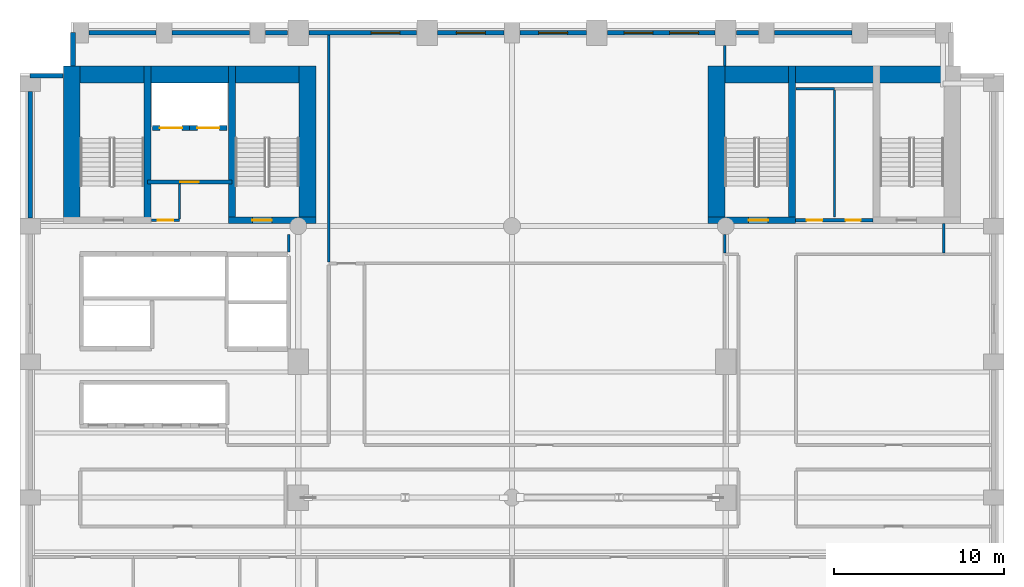
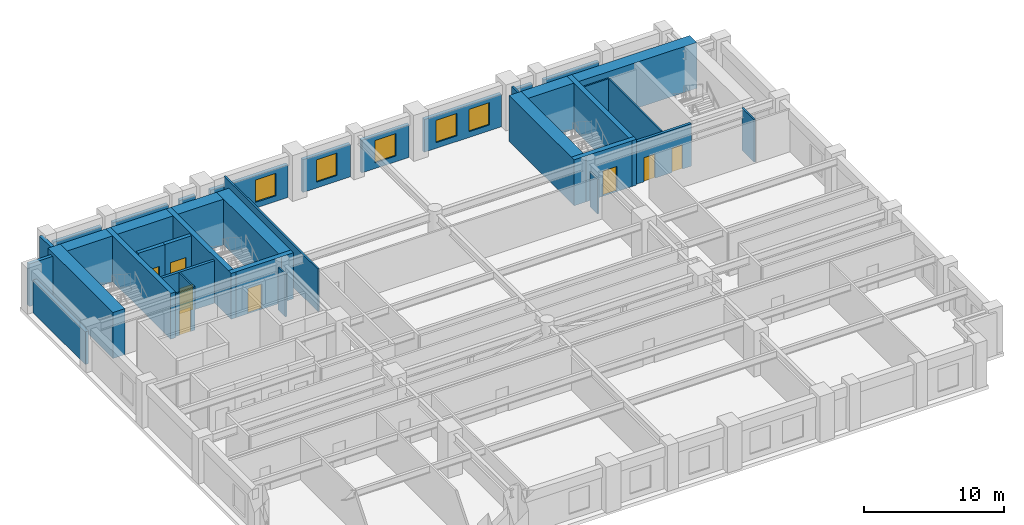
# One storey, part 7 of 10: 35 walls, 8 doors, 5 windows, 13 openings.
"""IFC4 building model written with IfcOpenShell, lengths in metres."""

import ifcopenshell
import ifcopenshell.guid

model = None  # the IFC model being written
_history = None  # IfcOwnerHistory: only IFC2X3 demands one
_inside = {}  # id of a spatial element -> (the spatial element, [elements in it])
_under = {}  # id of a project, library or spatial element -> (it, [spatial elements below it])
_declared = {}  # id of a project -> (the project, [libraries it declares])
_typed = {}  # id of a type object -> (the type object, [elements of that type])
_made_of = {}  # id of a material, layer set ... -> (it, [elements and type objects made of it])


def new_model(schema):
    """Start an empty IFC model of exactly this schema.

    Asked for "IFC4X3", IfcOpenShell would pick the latest addendum, in which some entities
    have other attributes; the version numbers below select the first issue.
    IFC2X3 requires an IfcOwnerHistory on every rooted entity: one is made here for all.
    """
    global model, _history
    if schema == "IFC4X3":
        model = ifcopenshell.file(schema_version=(4, 3, 0, 0))
    else:
        model = ifcopenshell.file(schema=schema)
    _inside.clear()
    _under.clear()
    _declared.clear()
    _typed.clear()
    _made_of.clear()
    _history = None
    if model.schema == "IFC2X3":
        org = make("IfcOrganization", Name="unknown")
        user = make(
            "IfcPersonAndOrganization",
            ThePerson=make("IfcPerson", FamilyName="unknown"),
            TheOrganization=org,
        )
        app = make(
            "IfcApplication",
            ApplicationDeveloper=org,
            Version="unknown",
            ApplicationFullName="unknown",
            ApplicationIdentifier="unknown",
        )
        _history = make(
            "IfcOwnerHistory",
            OwningUser=user,
            OwningApplication=app,
            ChangeAction="ADDED",
            CreationDate=0,
        )
    return model


def make(cls, **values):
    """One entity of the class cls with the attributes given. An attribute that is None is left unset."""
    return model.create_entity(
        cls, **{name: value for name, value in values.items() if value is not None}
    )


def rooted(cls, **values):
    """An entity with a GlobalId (a new one), such as an element, a storey or a relation."""
    return make(cls, GlobalId=ifcopenshell.guid.new(), OwnerHistory=_history, **values)


def si_unit(unit_type, name, prefix=None):
    """IfcSIUnit, for example si_unit("LENGTHUNIT", "METRE", prefix="MILLI")."""
    return make("IfcSIUnit", UnitType=unit_type, Prefix=prefix, Name=name)


def assignment(units):
    """IfcUnitAssignment: the units of a project."""
    return None if units is None else make("IfcUnitAssignment", Units=units)


def point(xyz):
    """IfcCartesianPoint."""
    return None if xyz is None else make("IfcCartesianPoint", Coordinates=xyz)


def direction(xyz):
    """IfcDirection."""
    return None if xyz is None else make("IfcDirection", DirectionRatios=xyz)


def frame(location, z_axis=None, x_axis=None):
    """IfcAxis2Placement3D, a coordinate frame: its origin and axes. An axis left out is left unset."""
    return make(
        "IfcAxis2Placement3D",
        Location=point(location),
        Axis=direction(z_axis),
        RefDirection=direction(x_axis),
    )


def frame_2d(location, x_axis=None):
    """IfcAxis2Placement2D, a coordinate frame in the plane: its origin and x axis."""
    return make(
        "IfcAxis2Placement2D", Location=point(location), RefDirection=direction(x_axis)
    )


def origin():
    """The frame at (0, 0, 0) with its axes left unset."""
    return frame((0.0, 0.0, 0.0))


def place(relative_to, where):
    """IfcLocalPlacement: puts the frame where relative to a parent placement (None: the world)."""
    return make(
        "IfcLocalPlacement", PlacementRelTo=relative_to, RelativePlacement=where
    )


def context(
    kind, dimensions, precision=None, world=None, true_north=None, identifier=None
):
    """IfcGeometricRepresentationContext, for example the 3D "Model" context."""
    return make(
        "IfcGeometricRepresentationContext",
        ContextIdentifier=identifier,
        ContextType=kind,
        CoordinateSpaceDimension=dimensions,
        Precision=precision,
        WorldCoordinateSystem=world,
        TrueNorth=true_north,
    )


def subcontext(parent, identifier, kind, view, scale=None):
    """IfcGeometricRepresentationSubContext, for example "Body" below "Model"."""
    return make(
        "IfcGeometricRepresentationSubContext",
        ContextIdentifier=identifier,
        ContextType=kind,
        ParentContext=parent,
        TargetScale=scale,
        TargetView=view,
    )


def project(units=None, contexts=None):
    """IfcProject with its units and contexts."""
    return rooted(
        "IfcProject",
        Name="project",
        RepresentationContexts=contexts,
        UnitsInContext=assignment(units),
    )


def spatial(cls, under=None, at=None, **own):
    """A site, building, storey or space (cls), placed at a placement, below another one or the project."""
    s = rooted(cls, ObjectPlacement=at, **own)
    if under is not None:
        _under.setdefault(under.id(), (under, []))[1].append(s)
    return s


def profile(cls, at=None, kind="AREA", **sizes):
    """A parametric profile (cls). Its sizes go by their IFC names, for example OverallWidth=200.0."""
    return make(cls, ProfileType=kind, Position=at, **sizes)


def rectangle(**sizes):
    """IfcRectangleProfileDef."""
    return profile("IfcRectangleProfileDef", **sizes)


def extrude(swept, where, along, depth):
    """IfcExtrudedAreaSolid: the profile swept, set in the frame where, extruded along a direction by depth."""
    return make(
        "IfcExtrudedAreaSolid",
        SweptArea=swept,
        Position=where,
        ExtrudedDirection=direction(along),
        Depth=depth,
    )


def shape(context_of_items, identifier, shape_type, items):
    """IfcShapeRepresentation: the items that make up one representation, for example the "Body"."""
    return make(
        "IfcShapeRepresentation",
        ContextOfItems=context_of_items,
        RepresentationIdentifier=identifier,
        RepresentationType=shape_type,
        Items=items,
    )


def material(Name=None, Category=None):
    """IfcMaterial."""
    return make("IfcMaterial", Name=Name, Category=Category)


def layer(
    of_material, thickness, ventilated=None, Name=None, Category=None, Priority=None
):
    """IfcMaterialLayer: one layer of a wall or slab, of a material (None: an air gap)."""
    return make(
        "IfcMaterialLayer",
        Material=of_material,
        LayerThickness=thickness,
        IsVentilated=ventilated,
        Name=Name,
        Category=Category,
        Priority=Priority,
    )


def layer_set(layers, Name=None):
    """IfcMaterialLayerSet."""
    return make("IfcMaterialLayerSet", MaterialLayers=layers, LayerSetName=Name)


def made_of(thing, what):
    """Note that an element or type object is made of a material, layer set ...; save() writes the relation."""
    if what is not None:
        _made_of.setdefault(what.id(), (what, []))[1].append(thing)
    return thing


def type_object(cls, material=None, **own):
    """A type object (cls), such as IfcWallType, which elements share."""
    return made_of(rooted(cls, **own), material)


def element(
    cls,
    number,
    at=None,
    inside=None,
    cuts=None,
    type_object=None,
    material=None,
    context=None,
    identifier="Body",
    shape_type=None,
    held_by="IfcProductDefinitionShape",
    body=None,
    shapes=None,
    **own,
):
    """One element of the class cls, such as IfcWall. Its Tag is "e" and its number.

    at: its placement. inside: the storey or other place that contains it. cuts: it is an
    opening in that element (IfcRelVoidsElement). A single representation is given by context,
    identifier, shape_type and body (its items); several are given by shapes. held_by: the class
    of the entity that holds the representations. save() writes the other relations.
    """
    e = rooted(cls, Tag="e%d" % number, ObjectPlacement=at, **own)
    if body is not None:
        shapes = [shape(context, identifier, shape_type, body)]
    if shapes is not None:
        e.Representation = make(held_by, Representations=shapes)
    if inside is not None:
        _inside.setdefault(inside.id(), (inside, []))[1].append(e)
    if cuts is not None:
        rooted(
            "IfcRelVoidsElement", RelatingBuildingElement=cuts, RelatedOpeningElement=e
        )
    if type_object is not None:
        _typed.setdefault(type_object.id(), (type_object, []))[1].append(e)
    return made_of(e, material)


def fill(opening, filler):
    """IfcRelFillsElement: the door or window that sits in an opening."""
    return rooted(
        "IfcRelFillsElement",
        RelatingOpeningElement=opening,
        RelatedBuildingElement=filler,
    )


def aggregate(whole, parts):
    """IfcRelAggregates: a whole, such as a stair, and the parts it consists of."""
    return rooted("IfcRelAggregates", RelatingObject=whole, RelatedObjects=parts)


def save(model, path):
    """Write the relations noted so far, then the file.

    IfcRelAggregates (storeys below a building ...), IfcRelContainedInSpatialStructure (elements
    in a storey), IfcRelDefinesByType, IfcRelAssociatesMaterial and IfcRelDeclares: one each for
    every whole, place, type object, material and project.
    """
    for whole, parts in _under.values():
        aggregate(whole, parts)
    for where, things in _inside.values():
        rooted(
            "IfcRelContainedInSpatialStructure",
            RelatedElements=things,
            RelatingStructure=where,
        )
    for kind, things in _typed.values():
        rooted("IfcRelDefinesByType", RelatedObjects=things, RelatingType=kind)
    for what, things in _made_of.values():
        rooted("IfcRelAssociatesMaterial", RelatedObjects=things, RelatingMaterial=what)
    for by, libraries in _declared.values():
        rooted("IfcRelDeclares", RelatingContext=by, RelatedDefinitions=libraries)
    model.write(path)


model = new_model("IFC4")

# Units and contexts
model_context = context("Model", 3, precision=1e-05, world=origin(), true_north=direction((0.0, 1.0)))
body_context = subcontext(model_context, "Body", "Model", "MODEL_VIEW")
ifc_project = project(units=[si_unit("LENGTHUNIT", "METRE"), si_unit("AREAUNIT", "SQUARE_METRE"), si_unit("VOLUMEUNIT", "CUBIC_METRE"), si_unit("PLANEANGLEUNIT", "RADIAN"), si_unit("MASSUNIT", "GRAM", prefix="KILO")], contexts=[model_context])

# Site, building, storey
site_placement = place(None, origin())
site = spatial("IfcSite", under=ifc_project, at=site_placement, CompositionType="ELEMENT")
building_placement = place(site_placement, origin())
building = spatial("IfcBuilding", under=site, at=building_placement, Name="Sulina Concourse Tower", CompositionType="ELEMENT")
storey_placement = place(building_placement, frame((0.0, 0.0, 54.60009765625)))
storey = spatial("IfcBuildingStorey", under=building, at=storey_placement, Name="L13", CompositionType="ELEMENT", Elevation=54.60009765625)

# Wall, opening, door
ifc_material_1 = material(Name="Concrete C50/60", Category="concrete")
ifc_layer_1 = layer(ifc_material_1, 0.300048828125)
ifc_layer_set_1 = layer_set([ifc_layer_1], Name="Concrete C50/60")
wall_type_1 = type_object("IfcWallType", Name="Core Lift Hoistway Wall 300mm", PredefinedType="SOLIDWALL", material=ifc_layer_set_1)
wall_1_placement = place(storey_placement, frame((10.0, 39.780029296875, 0.0), z_axis=(0.0, 0.0, 1.0), x_axis=(-1.0, 0.0, 0.0)))
wall_1 = element("IfcWall", 1, at=wall_1_placement, inside=storey, type_object=wall_type_1, Name="L13 hoistway enclosure wall FFL-1", PredefinedType="SOLIDWALL", context=body_context, shape_type="SweptSolid", body=[
    extrude(rectangle(XDim=2.199951171875, YDim=0.300048828125, at=frame_2d((1.10009765625, 0.0))), origin(), (0.0, 0.0, 1.0), 4.0),
])
opening_1_placement = place(wall_1_placement, frame((0.449951171875, 0.0, 0.0)))
opening_1 = element("IfcOpeningElement", 2, at=opening_1_placement, cuts=wall_1, Name="Opening LD-02", PredefinedType="OPENING", context=body_context, shape_type="SweptSolid", body=[
    extrude(rectangle(XDim=1.300048828125, YDim=2.25, at=frame_2d((0.64990234375, 1.125))), frame((0.0, 0.159912109375, 0.0), z_axis=(0.0, -1.0, 0.0), x_axis=(1.0, 0.0, 0.0)), (0.0, 0.0, 1.0), 0.320068359375),
])
ifc_material_2 = material(Name="Stainless steel lift landing door", Category="steel")
ifc_layer_2 = layer(ifc_material_2, 0.050048828125)
ifc_layer_set_2 = layer_set([ifc_layer_2], Name="Stainless steel lift landing door")
door_type_1 = type_object("IfcDoorType", Name="Firefighting Lift Sliding Landing Door 1300x2250", OperationType="SLIDING_TO_RIGHT", PredefinedType="DOOR", material=ifc_layer_set_2)
door_1_placement = place(opening_1_placement, origin())
door_1 = element("IfcDoor", 3, at=door_1_placement, inside=storey, type_object=door_type_1, Name="L13 lift landing sliding door FFL-1", OperationType="SLIDING_TO_LEFT", OverallHeight=2.25, OverallWidth=1.300048828125, PredefinedType="DOOR", context=body_context, shape_type="SweptSolid", body=[
    extrude(rectangle(XDim=1.300048828125, YDim=2.25, at=frame_2d((0.64990234375, 1.125))), frame((0.0, 0.02490234375, 0.0), z_axis=(0.0, -1.0, 0.0), x_axis=(1.0, 0.0, 0.0)), (0.0, 0.0, 1.0), 0.050048828125),
])
fill(opening_1, door_1)

wall_2_placement = place(storey_placement, frame((12.199951171875, 39.780029296875, 0.0), z_axis=(0.0, 0.0, 1.0), x_axis=(-1.0, 0.0, 0.0)))
wall_2 = element("IfcWall", 4, at=wall_2_placement, inside=storey, type_object=wall_type_1, Name="L13 hoistway enclosure wall FFL-2", PredefinedType="SOLIDWALL", context=body_context, shape_type="SweptSolid", body=[
    extrude(rectangle(XDim=2.199951171875, YDim=0.300048828125, at=frame_2d((1.10009765625, 0.0))), origin(), (0.0, 0.0, 1.0), 4.0),
])
opening_2_placement = place(wall_2_placement, frame((0.449951171875, 0.0, 0.0)))
opening_2 = element("IfcOpeningElement", 5, at=opening_2_placement, cuts=wall_2, Name="Opening LD-02", PredefinedType="OPENING", context=body_context, shape_type="SweptSolid", body=[
    extrude(rectangle(XDim=1.300048828125, YDim=2.25, at=frame_2d((0.64990234375, 1.125))), frame((0.0, 0.159912109375, 0.0), z_axis=(0.0, -1.0, 0.0), x_axis=(1.0, 0.0, 0.0)), (0.0, 0.0, 1.0), 0.320068359375),
])
door_2_placement = place(opening_2_placement, origin())
door_2 = element("IfcDoor", 6, at=door_2_placement, inside=storey, type_object=door_type_1, Name="L13 lift landing sliding door FFL-2", OperationType="SLIDING_TO_RIGHT", OverallHeight=2.25, OverallWidth=1.300048828125, PredefinedType="DOOR", context=body_context, shape_type="SweptSolid", body=[
    extrude(rectangle(XDim=1.300048828125, YDim=2.25, at=frame_2d((0.64990234375, 1.125))), frame((0.0, 0.02490234375, 0.0), z_axis=(0.0, -1.0, 0.0), x_axis=(1.0, 0.0, 0.0)), (0.0, 0.0, 1.0), 0.050048828125),
])
fill(opening_2, door_2)

ifc_material_3 = material(Name="Gypsum board on steel stud", Category="steel")
ifc_layer_3 = layer(ifc_material_3, 0.219970703125)
ifc_layer_set_3 = layer_set([ifc_layer_3], Name="Gypsum board on steel stud")
wall_type_2 = type_object("IfcWallType", Name="Fire-Rated Lobby & Compartment Wall 220mm", PredefinedType="PARTITIONING", material=ifc_layer_set_3)
wall_3_placement = place(storey_placement, frame((7.510009765625, 36.60009765625, 0.0), z_axis=(0.0, 0.0, 1.0), x_axis=(1.0, 0.0, 0.0)))
wall_3 = element("IfcWall", 7, at=wall_3_placement, inside=storey, type_object=wall_type_2, Name="L13 firefighting lobby south fire wall", PredefinedType="PARTITIONING", context=body_context, shape_type="SweptSolid", body=[
    extrude(rectangle(XDim=4.97998046875, YDim=0.219970703125, at=frame_2d((2.489990234375, 0.0))), origin(), (0.0, 0.0, 1.0), 3.699951171875),
])
opening_3_placement = place(wall_3_placement, frame((1.93994140625, 0.0, 0.0)))
opening_3 = element("IfcOpeningElement", 8, at=opening_3_placement, cuts=wall_3, Name="Opening DR-47", PredefinedType="OPENING", context=body_context, shape_type="SweptSolid", body=[
    extrude(rectangle(XDim=1.10009765625, YDim=2.199951171875, at=frame_2d((0.550048828125, 1.10009765625))), frame((0.0, 0.119873046875, 0.0), z_axis=(0.0, -1.0, 0.0), x_axis=(1.0, 0.0, 0.0)), (0.0, 0.0, 1.0), 0.239990234375),
])
ifc_material_4 = material(Name="Galvanised steel acoustic fire leaf", Category="steel")
ifc_layer_4 = layer(ifc_material_4, 0.054931640625)
ifc_layer_set_4 = layer_set([ifc_layer_4], Name="Galvanised steel acoustic fire leaf")
door_type_2 = type_object("IfcDoorType", Name="Firefighting Lobby Fire Door 1100x2200", OperationType="NOTDEFINED", PredefinedType="DOOR", material=ifc_layer_set_4)
door_3_placement = place(opening_3_placement, origin())
door_3 = element("IfcDoor", 9, at=door_3_placement, inside=storey, type_object=door_type_2, Name="L13 firefighting lobby fire door", OperationType="SINGLE_SWING_RIGHT", OverallHeight=2.199951171875, OverallWidth=1.10009765625, PredefinedType="DOOR", context=body_context, shape_type="SweptSolid", body=[
    extrude(rectangle(XDim=1.10009765625, YDim=2.199951171875, at=frame_2d((0.550048828125, 1.10009765625))), frame((0.0, 0.02490234375, 0.0), z_axis=(0.0, -1.0, 0.0), x_axis=(1.0, 0.0, 0.0)), (0.0, 0.0, 1.0), 0.050048828125),
])
fill(opening_3, door_3)

# Wall, openings, doors
wall_4_placement = place(storey_placement, frame((45.719970703125, 34.35009765625, 0.0), z_axis=(0.0, 0.0, 1.0), x_axis=(1.0, 0.0, 0.0)))
wall_4 = element("IfcWall", 10, at=wall_4_placement, inside=storey, type_object=wall_type_2, Name="L13 east core south lobby wall", PredefinedType="PARTITIONING", context=body_context, shape_type="SweptSolid", body=[
    extrude(rectangle(XDim=4.56005859375, YDim=0.219970703125, at=frame_2d((2.280029296875, 0.0))), origin(), (0.0, 0.0, 1.0), 3.699951171875),
])
opening_4_placement = place(wall_4_placement, frame((0.64990234375, 0.0, 0.0)))
opening_4 = element("IfcOpeningElement", 11, at=opening_4_placement, cuts=wall_4, Name="Opening DR-61", PredefinedType="OPENING", context=body_context, shape_type="SweptSolid", body=[
    extrude(rectangle(XDim=0.919921875, YDim=2.10009765625, at=frame_2d((0.4599609375, 1.050048828125))), frame((0.0, 0.119873046875, 0.0), z_axis=(0.0, -1.0, 0.0), x_axis=(1.0, 0.0, 0.0)), (0.0, 0.0, 1.0), 0.239990234375),
])
opening_5_placement = place(wall_4_placement, frame((2.949951171875, 0.0, 0.0)))
opening_5 = element("IfcOpeningElement", 12, at=opening_5_placement, cuts=wall_4, Name="Opening DR-38", PredefinedType="OPENING", context=body_context, shape_type="SweptSolid", body=[
    extrude(rectangle(XDim=0.8798828125, YDim=2.10009765625, at=frame_2d((0.43994140625, 1.050048828125))), frame((0.0, 0.119873046875, 0.0), z_axis=(0.0, -1.0, 0.0), x_axis=(1.0, 0.0, 0.0)), (0.0, 0.0, 1.0), 0.239990234375),
])
ifc_material_5 = material(Name="Oak-veneered fire door leaf")
ifc_layer_5 = layer(ifc_material_5, 0.050048828125)
ifc_layer_set_5 = layer_set([ifc_layer_5], Name="Oak-veneered fire door leaf")
door_type_3 = type_object("IfcDoorType", Name="Accessible WC Door 920x2100", OperationType="NOTDEFINED", PredefinedType="DOOR", material=ifc_layer_set_5)
door_4_placement = place(opening_4_placement, origin())
door_4 = element("IfcDoor", 13, at=door_4_placement, inside=storey, type_object=door_type_3, Name="L13 east core accessible wc door", OperationType="SINGLE_SWING_RIGHT", OverallHeight=2.10009765625, OverallWidth=0.919921875, PredefinedType="DOOR", context=body_context, shape_type="SweptSolid", body=[
    extrude(rectangle(XDim=0.919921875, YDim=2.10009765625, at=frame_2d((0.4599609375, 1.050048828125))), frame((0.0, 0.02490234375, 0.0), z_axis=(0.0, -1.0, 0.0), x_axis=(1.0, 0.0, 0.0)), (0.0, 0.0, 1.0), 0.050048828125),
])
fill(opening_4, door_4)
ifc_material_6 = material(Name="Galvanised steel acoustic fire leaf", Category="steel")
ifc_layer_6 = layer(ifc_material_6, 0.050048828125)
ifc_layer_set_6 = layer_set([ifc_layer_6], Name="Galvanised steel acoustic fire leaf")
door_type_4 = type_object("IfcDoorType", Name="Service Riser Fire Door 880x2100", OperationType="NOTDEFINED", PredefinedType="DOOR", material=ifc_layer_set_6)
door_5_placement = place(opening_5_placement, origin())
door_5 = element("IfcDoor", 14, at=door_5_placement, inside=storey, type_object=door_type_4, Name="L13 east core store door", OperationType="SINGLE_SWING_LEFT", OverallHeight=2.10009765625, OverallWidth=0.8798828125, PredefinedType="DOOR", context=body_context, shape_type="SweptSolid", body=[
    extrude(rectangle(XDim=0.8798828125, YDim=2.10009765625, at=frame_2d((0.43994140625, 1.050048828125))), frame((0.0, 0.02490234375, 0.0), z_axis=(0.0, -1.0, 0.0), x_axis=(1.0, 0.0, 0.0)), (0.0, 0.0, 1.0), 0.050048828125),
])
fill(opening_5, door_5)

# Walls
ifc_material_7 = material(Name="Gypsum board on steel stud", Category="steel")
ifc_layer_7 = layer(ifc_material_7, 0.14990234375)
ifc_layer_set_7 = layer_set([ifc_layer_7], Name="Gypsum board on steel stud")
wall_type_3 = type_object("IfcWallType", Name="Inter-Tenancy Acoustic Partition 150mm", PredefinedType="PARTITIONING", material=ifc_layer_set_7)
wall_5_placement = place(storey_placement, frame((15.85009765625, 32.469970703125, 0.0), z_axis=(0.0, 0.0, 1.0), x_axis=(0.0, 1.0, 0.0)))
element("IfcWall", 15, at=wall_5_placement, inside=storey, type_object=wall_type_3, Name="L13 interior partition 033", PredefinedType="PARTITIONING", context=body_context, shape_type="SweptSolid", body=[
    extrude(rectangle(XDim=1.030029296875, YDim=0.14990234375, at=frame_2d((0.51513671875, 0.0))), origin(), (0.0, 0.0, 1.0), 3.699951171875),
])
wall_6_placement = place(storey_placement, frame((18.199951171875, 31.889892578125, 0.0), z_axis=(0.0, 0.0, 1.0), x_axis=(0.0, 1.0, 0.0)))
element("IfcWall", 16, at=wall_6_placement, inside=storey, type_object=wall_type_3, Name="L13 interior partition 036", PredefinedType="PARTITIONING", context=body_context, shape_type="SweptSolid", body=[
    extrude(rectangle(XDim=13.3701171875, YDim=0.14990234375, at=frame_2d((6.68505859375, 0.0))), origin(), (0.0, 0.0, 1.0), 3.699951171875),
])
wall_7_placement = place(storey_placement, frame((41.550048828125, 32.425048828125, 0.0), z_axis=(0.0, 0.0, 1.0), x_axis=(0.0, 1.0, 0.0)))
element("IfcWall", 17, at=wall_7_placement, inside=storey, type_object=wall_type_3, Name="L13 interior partition 041", PredefinedType="PARTITIONING", context=body_context, shape_type="SweptSolid", body=[
    extrude(rectangle(XDim=1.074951171875, YDim=0.14990234375, at=frame_2d((0.53759765625, 0.0))), origin(), (0.0, 0.0, 1.0), 2.994873046875),
])
wall_8_placement = place(storey_placement, frame((41.550048828125, 43.429931640625, 0.0), z_axis=(0.0, 0.0, 1.0), x_axis=(0.0, 1.0, 0.0)))
element("IfcWall", 18, at=wall_8_placement, inside=storey, type_object=wall_type_3, Name="L13 interior partition 042", PredefinedType="PARTITIONING", context=body_context, shape_type="SweptSolid", body=[
    extrude(rectangle(XDim=1.219970703125, YDim=0.14990234375, at=frame_2d((0.60986328125, 0.0))), origin(), (0.0, 0.0, 1.0), 3.699951171875),
])
wall_9_placement = place(storey_placement, frame((54.449951171875, 32.425048828125, 0.0), z_axis=(0.0, 0.0, 1.0), x_axis=(0.0, 1.0, 0.0)))
element("IfcWall", 19, at=wall_9_placement, inside=storey, type_object=wall_type_3, Name="L13 interior partition 051", PredefinedType="PARTITIONING", context=body_context, shape_type="SweptSolid", body=[
    extrude(rectangle(XDim=1.724853515625, YDim=0.14990234375, at=frame_2d((0.8623046875, 0.0))), origin(), (0.0, 0.0, 1.0), 3.699951171875),
])

# Wall, opening, door
ifc_material_8 = material(Name="Concrete C60/75", Category="concrete")
ifc_layer_8 = layer(ifc_material_8, 0.39990234375)
ifc_layer_set_8 = layer_set([ifc_layer_8], Name="Concrete C60/75")
wall_type_4 = type_object("IfcWallType", Name="Protected Stair Core Shear Wall 400mm", PredefinedType="SHEAR", material=ifc_layer_set_8)
wall_10_placement = place(storey_placement, frame((12.2900390625, 34.35009765625, 0.0), z_axis=(0.0, 0.0, 1.0), x_axis=(1.0, 0.0, 0.0)))
wall_10 = element("IfcWall", 20, at=wall_10_placement, inside=storey, type_object=wall_type_4, Name="L13 west core shear wall CW-WS2", PredefinedType="SHEAR", context=body_context, shape_type="SweptSolid", body=[
    extrude(rectangle(XDim=5.159912109375, YDim=0.39990234375, at=frame_2d((2.580078125, 0.0))), origin(), (0.0, 0.0, 1.0), 4.0),
])
opening_6_placement = place(wall_10_placement, frame((1.39990234375, 0.0, 0.0)))
opening_6 = element("IfcOpeningElement", 21, at=opening_6_placement, cuts=wall_10, Name="Opening DR-60", PredefinedType="OPENING", context=body_context, shape_type="SweptSolid", body=[
    extrude(rectangle(XDim=1.14990234375, YDim=2.199951171875, at=frame_2d((0.574951171875, 1.10009765625))), frame((0.0, 0.2099609375, 0.0), z_axis=(0.0, -1.0, 0.0), x_axis=(1.0, 0.0, 0.0)), (0.0, 0.0, 1.0), 0.419921875),
])
ifc_material_9 = material(Name="Galvanised steel acoustic fire leaf", Category="steel")
ifc_layer_9 = layer(ifc_material_9, 0.054931640625)
ifc_layer_set_9 = layer_set([ifc_layer_9], Name="Galvanised steel acoustic fire leaf")
door_type_5 = type_object("IfcDoorType", Name="Protected Exit Stair Fire Door 1150x2200", OperationType="NOTDEFINED", PredefinedType="DOOR", material=ifc_layer_set_9)
door_6_placement = place(opening_6_placement, origin())
door_6 = element("IfcDoor", 22, at=door_6_placement, inside=storey, type_object=door_type_5, Name="L13 stair ST-2 lobby fire door", OperationType="SINGLE_SWING_LEFT", OverallHeight=2.199951171875, OverallWidth=1.14990234375, PredefinedType="DOOR", context=body_context, shape_type="SweptSolid", body=[
    extrude(rectangle(XDim=1.14990234375, YDim=2.199951171875, at=frame_2d((0.574951171875, 1.10009765625))), frame((0.0, 0.02490234375, 0.0), z_axis=(0.0, -1.0, 0.0), x_axis=(1.0, 0.0, 0.0)), (0.0, 0.0, 1.0), 0.050048828125),
])
fill(opening_6, door_6)

# Walls
for number, where, z_axis, x_axis, name in (
    (23, (7.510009765625, 34.14990234375, 0.0), (0.0, 0.0, 1.0), (0.0, 1.0, 0.0), "L13 west core shear wall SW-ST1"),
    (24, (12.489990234375, 34.14990234375, 0.0), (0.0, 0.0, 1.0), (0.0, 1.0, 0.0), "L13 west core shear wall SW-ST2"),
):
    element("IfcWall", number, at=place(storey_placement, frame(where, z_axis=z_axis, x_axis=x_axis)), inside=storey, type_object=wall_type_4, Name=name, PredefinedType="SHEAR", context=body_context, shape_type="SweptSolid", body=[
        extrude(rectangle(XDim=9.280029296875, YDim=0.39990234375, at=frame_2d((4.64013671875, 0.0))), origin(), (0.0, 0.0, 1.0), 4.0),
    ])

# Wall, opening, door
wall_11_placement = place(storey_placement, frame((40.550048828125, 34.35009765625, 0.0), z_axis=(0.0, 0.0, 1.0), x_axis=(1.0, 0.0, 0.0)))
wall_11 = element("IfcWall", 25, at=wall_11_placement, inside=storey, type_object=wall_type_4, Name="L13 east core shear wall CW-ES1", PredefinedType="SHEAR", context=body_context, shape_type="SweptSolid", body=[
    extrude(rectangle(XDim=5.159912109375, YDim=0.39990234375, at=frame_2d((2.580078125, 0.0))), origin(), (0.0, 0.0, 1.0), 4.0),
])
opening_7_placement = place(wall_11_placement, frame((2.39990234375, 0.0, 0.0)))
opening_7 = element("IfcOpeningElement", 26, at=opening_7_placement, cuts=wall_11, Name="Opening DR-60", PredefinedType="OPENING", context=body_context, shape_type="SweptSolid", body=[
    extrude(rectangle(XDim=1.14990234375, YDim=2.199951171875, at=frame_2d((0.574951171875, 1.10009765625))), frame((0.0, 0.2099609375, 0.0), z_axis=(0.0, -1.0, 0.0), x_axis=(1.0, 0.0, 0.0)), (0.0, 0.0, 1.0), 0.419921875),
])
door_7_placement = place(opening_7_placement, origin())
door_7 = element("IfcDoor", 27, at=door_7_placement, inside=storey, type_object=door_type_5, Name="L13 stair ST-3 south lobby fire door", OperationType="SINGLE_SWING_LEFT", OverallHeight=2.199951171875, OverallWidth=1.14990234375, PredefinedType="DOOR", context=body_context, shape_type="SweptSolid", body=[
    extrude(rectangle(XDim=1.14990234375, YDim=2.199951171875, at=frame_2d((0.574951171875, 1.10009765625))), frame((0.0, 0.02490234375, 0.0), z_axis=(0.0, -1.0, 0.0), x_axis=(1.0, 0.0, 0.0)), (0.0, 0.0, 1.0), 0.050048828125),
])
fill(opening_7, door_7)

# Walls
wall_12_placement = place(storey_placement, frame((45.510009765625, 34.14990234375, 0.0), z_axis=(0.0, 0.0, 1.0), x_axis=(0.0, 1.0, 0.0)))
element("IfcWall", 28, at=wall_12_placement, inside=storey, type_object=wall_type_4, Name="L13 east core shear wall SW-ST3", PredefinedType="SHEAR", context=body_context, shape_type="SweptSolid", body=[
    extrude(rectangle(XDim=9.280029296875, YDim=0.39990234375, at=frame_2d((4.64013671875, 0.0))), origin(), (0.0, 0.0, 1.0), 4.0),
])
ifc_material_10 = material(Name="Concrete C80/95", Category="concrete")
ifc_layer_10 = layer(ifc_material_10, 1.0)
ifc_layer_set_10 = layer_set([ifc_layer_10], Name="Concrete C80/95")
wall_type_5 = type_object("IfcWallType", Name="Rear Core Shear Wall 1000mm", PredefinedType="SHEAR", material=ifc_layer_set_10)
wall_13_placement = place(storey_placement, frame((2.550048828125, 42.929931640625, 0.0), z_axis=(0.0, 0.0, 1.0), x_axis=(1.0, 0.0, 0.0)))
element("IfcWall", 29, at=wall_13_placement, inside=storey, type_object=wall_type_5, Name="L13 west core shear wall CW-WN", PredefinedType="SHEAR", context=body_context, shape_type="SweptSolid", body=[
    extrude(rectangle(XDim=14.89990234375, YDim=1.0, at=frame_2d((7.449951171875, 0.0))), origin(), (0.0, 0.0, 1.0), 4.0),
])
for number, where, z_axis, x_axis, name in (
    (30, (3.050048828125, 34.14990234375, 0.0), (0.0, 0.0, 1.0), (0.0, 1.0, 0.0), "L13 west core shear wall CW-WW"),
    (31, (16.949951171875, 34.14990234375, 0.0), (0.0, 0.0, 1.0), (0.0, 1.0, 0.0), "L13 west core shear wall CW-WE"),
):
    element("IfcWall", number, at=place(storey_placement, frame(where, z_axis=z_axis, x_axis=x_axis)), inside=storey, type_object=wall_type_5, Name=name, PredefinedType="SHEAR", context=body_context, shape_type="SweptSolid", body=[
        extrude(rectangle(XDim=9.280029296875, YDim=1.0, at=frame_2d((4.64013671875, 0.0))), origin(), (0.0, 0.0, 1.0), 4.0),
    ])
wall_14_placement = place(storey_placement, frame((40.550048828125, 42.929931640625, 0.0), z_axis=(0.0, 0.0, 1.0), x_axis=(1.0, 0.0, 0.0)))
element("IfcWall", 32, at=wall_14_placement, inside=storey, type_object=wall_type_5, Name="L13 east core shear wall CW-EN", PredefinedType="SHEAR", context=body_context, shape_type="SweptSolid", body=[
    extrude(rectangle(XDim=14.89990234375, YDim=1.0, at=frame_2d((7.449951171875, 0.0))), origin(), (0.0, 0.0, 1.0), 4.0),
])
wall_15_placement = place(storey_placement, frame((41.050048828125, 34.14990234375, 0.0), z_axis=(0.0, 0.0, 1.0), x_axis=(0.0, 1.0, 0.0)))
element("IfcWall", 33, at=wall_15_placement, inside=storey, type_object=wall_type_5, Name="L13 east core shear wall CW-EW", PredefinedType="SHEAR", context=body_context, shape_type="SweptSolid", body=[
    extrude(rectangle(XDim=9.280029296875, YDim=1.0, at=frame_2d((4.64013671875, 0.0))), origin(), (0.0, 0.0, 1.0), 4.0),
])
ifc_material_11 = material(Name="Precast concrete C50/60", Category="concrete")
ifc_layer_11 = layer(ifc_material_11, 0.280029296875)
ifc_layer_set_11 = layer_set([ifc_layer_11], Name="Precast concrete C50/60")
wall_type_6 = type_object("IfcWallType", Name="Typical Precast Masonry-Frame Facade Wall 280mm", PredefinedType="SOLIDWALL", material=ifc_layer_set_11)
wall_16_placement = place(storey_placement, frame((0.60009765625, 34.469970703125, 0.0), z_axis=(0.0, 0.0, 1.0), x_axis=(0.0, 1.0, 0.0)))
element("IfcWall", 34, at=wall_16_placement, inside=storey, type_object=wall_type_6, Name="L13 exterior precast wall W5", PredefinedType="SOLIDWALL", context=body_context, shape_type="SweptSolid", body=[
    extrude(rectangle(XDim=7.4599609375, YDim=0.280029296875, at=frame_2d((3.72998046875, 0.0))), origin(), (0.0, 0.0, 1.0), 2.849853515625),
])
wall_17_placement = place(storey_placement, frame((4.070068359375, 45.39990234375, 0.0), z_axis=(0.0, 0.0, 1.0), x_axis=(1.0, 0.0, 0.0)))
element("IfcWall", 35, at=wall_17_placement, inside=storey, type_object=wall_type_6, Name="L13 exterior precast wall N1", PredefinedType="SOLIDWALL", context=body_context, shape_type="SweptSolid", body=[
    extrude(rectangle(XDim=3.9599609375, YDim=0.280029296875, at=frame_2d((1.97998046875, 0.0))), origin(), (0.0, 0.0, 1.0), 2.849853515625),
])
wall_18_placement = place(storey_placement, frame((8.969970703125, 45.39990234375, 0.0), z_axis=(0.0, 0.0, 1.0), x_axis=(1.0, 0.0, 0.0)))
element("IfcWall", 36, at=wall_18_placement, inside=storey, type_object=wall_type_6, Name="L13 exterior precast wall N2", PredefinedType="SOLIDWALL", context=body_context, shape_type="SweptSolid", body=[
    extrude(rectangle(XDim=4.56005859375, YDim=0.280029296875, at=frame_2d((2.280029296875, 0.0))), origin(), (0.0, 0.0, 1.0), 2.849853515625),
])
wall_19_placement = place(storey_placement, frame((14.469970703125, 45.39990234375, 0.0), z_axis=(0.0, 0.0, 1.0), x_axis=(1.0, 0.0, 0.0)))
element("IfcWall", 37, at=wall_19_placement, inside=storey, type_object=wall_type_6, Name="L13 exterior precast wall N3", PredefinedType="SOLIDWALL", context=body_context, shape_type="SweptSolid", body=[
    extrude(rectangle(XDim=1.31005859375, YDim=0.280029296875, at=frame_2d((0.655029296875, 0.0))), origin(), (0.0, 0.0, 1.0), 2.849853515625),
])

# Wall, opening, window
wall_20_placement = place(storey_placement, frame((17.02001953125, 45.39990234375, 0.0), z_axis=(0.0, 0.0, 1.0), x_axis=(1.0, 0.0, 0.0)))
wall_20 = element("IfcWall", 38, at=wall_20_placement, inside=storey, type_object=wall_type_6, Name="L13 exterior precast wall N4", PredefinedType="SOLIDWALL", context=body_context, shape_type="SweptSolid", body=[
    extrude(rectangle(XDim=6.35986328125, YDim=0.280029296875, at=frame_2d((3.179931640625, 0.0))), origin(), (0.0, 0.0, 1.0), 2.849853515625),
])
opening_8_placement = place(wall_20_placement, frame((3.67333984375, 0.0, 0.5)))
opening_8 = element("IfcOpeningElement", 39, at=opening_8_placement, cuts=wall_20, Name="Opening WN-66", PredefinedType="OPENING", context=body_context, shape_type="SweptSolid", body=[
    extrude(rectangle(XDim=1.699951171875, YDim=1.949951171875, at=frame_2d((0.85009765625, 0.97509765625))), frame((0.0, 0.14990234375, 0.0), z_axis=(0.0, -1.0, 0.0), x_axis=(1.0, 0.0, 0.0)), (0.0, 0.0, 1.0), 0.300048828125),
])
ifc_material_12 = material(Name="Low-E solar double glazing in bronze aluminium", Category="aluminium")
window_type = type_object("IfcWindowType", Name="Recessed Spandrel Window 1700x1950", PartitioningType="SINGLE_PANEL", PredefinedType="WINDOW", material=ifc_material_12)
window_1_placement = place(opening_8_placement, origin())
window_1 = element("IfcWindow", 40, at=window_1_placement, inside=storey, type_object=window_type, Name="L13 punched window N4-1", OverallHeight=1.949951171875, OverallWidth=1.699951171875, PartitioningType="SINGLE_PANEL", PredefinedType="WINDOW", context=body_context, shape_type="SweptSolid", body=[
    extrude(rectangle(XDim=1.699951171875, YDim=1.949951171875, at=frame_2d((0.85009765625, 0.97509765625))), frame((0.0, 0.030029296875, 0.0), z_axis=(0.0, -1.0, 0.0), x_axis=(1.0, 0.0, 0.0)), (0.0, 0.0, 1.0), 0.06005859375),
])
fill(opening_8, window_1)

wall_21_placement = place(storey_placement, frame((24.6201171875, 45.39990234375, 0.0), z_axis=(0.0, 0.0, 1.0), x_axis=(1.0, 0.0, 0.0)))
wall_21 = element("IfcWall", 41, at=wall_21_placement, inside=storey, type_object=wall_type_6, Name="L13 exterior precast wall N5", PredefinedType="SOLIDWALL", context=body_context, shape_type="SweptSolid", body=[
    extrude(rectangle(XDim=3.909912109375, YDim=0.280029296875, at=frame_2d((1.955078125, 0.0))), origin(), (0.0, 0.0, 1.0), 2.849853515625),
])
opening_9_placement = place(wall_21_placement, frame((1.10498046875, 0.0, 0.5)))
opening_9 = element("IfcOpeningElement", 42, at=opening_9_placement, cuts=wall_21, Name="Opening WN-66", PredefinedType="OPENING", context=body_context, shape_type="SweptSolid", body=[
    extrude(rectangle(XDim=1.699951171875, YDim=1.949951171875, at=frame_2d((0.85009765625, 0.97509765625))), frame((0.0, 0.14990234375, 0.0), z_axis=(0.0, -1.0, 0.0), x_axis=(1.0, 0.0, 0.0)), (0.0, 0.0, 1.0), 0.300048828125),
])
window_2_placement = place(opening_9_placement, origin())
window_2 = element("IfcWindow", 43, at=window_2_placement, inside=storey, type_object=window_type, Name="L13 punched window N5-1", OverallHeight=1.949951171875, OverallWidth=1.699951171875, PartitioningType="SINGLE_PANEL", PredefinedType="WINDOW", context=body_context, shape_type="SweptSolid", body=[
    extrude(rectangle(XDim=1.699951171875, YDim=1.949951171875, at=frame_2d((0.85009765625, 0.97509765625))), frame((0.0, 0.030029296875, 0.0), z_axis=(0.0, -1.0, 0.0), x_axis=(1.0, 0.0, 0.0)), (0.0, 0.0, 1.0), 0.06005859375),
])
fill(opening_9, window_2)

wall_22_placement = place(storey_placement, frame((29.469970703125, 45.39990234375, 0.0), z_axis=(0.0, 0.0, 1.0), x_axis=(1.0, 0.0, 0.0)))
wall_22 = element("IfcWall", 44, at=wall_22_placement, inside=storey, type_object=wall_type_6, Name="L13 exterior precast wall N6", PredefinedType="SOLIDWALL", context=body_context, shape_type="SweptSolid", body=[
    extrude(rectangle(XDim=3.909912109375, YDim=0.280029296875, at=frame_2d((1.955078125, 0.0))), origin(), (0.0, 0.0, 1.0), 2.849853515625),
])
opening_10_placement = place(wall_22_placement, frame((1.10498046875, 0.0, 0.5)))
opening_10 = element("IfcOpeningElement", 45, at=opening_10_placement, cuts=wall_22, Name="Opening WN-66", PredefinedType="OPENING", context=body_context, shape_type="SweptSolid", body=[
    extrude(rectangle(XDim=1.699951171875, YDim=1.949951171875, at=frame_2d((0.85009765625, 0.97509765625))), frame((0.0, 0.14990234375, 0.0), z_axis=(0.0, -1.0, 0.0), x_axis=(1.0, 0.0, 0.0)), (0.0, 0.0, 1.0), 0.300048828125),
])
window_3_placement = place(opening_10_placement, origin())
window_3 = element("IfcWindow", 46, at=window_3_placement, inside=storey, type_object=window_type, Name="L13 punched window N6-1", OverallHeight=1.949951171875, OverallWidth=1.699951171875, PartitioningType="SINGLE_PANEL", PredefinedType="WINDOW", context=body_context, shape_type="SweptSolid", body=[
    extrude(rectangle(XDim=1.699951171875, YDim=1.949951171875, at=frame_2d((0.85009765625, 0.97509765625))), frame((0.0, 0.030029296875, 0.0), z_axis=(0.0, -1.0, 0.0), x_axis=(1.0, 0.0, 0.0)), (0.0, 0.0, 1.0), 0.06005859375),
])
fill(opening_10, window_3)

# Wall, openings, windows
wall_23_placement = place(storey_placement, frame((34.6201171875, 45.39990234375, 0.0), z_axis=(0.0, 0.0, 1.0), x_axis=(1.0, 0.0, 0.0)))
wall_23 = element("IfcWall", 47, at=wall_23_placement, inside=storey, type_object=wall_type_6, Name="L13 exterior precast wall N7", PredefinedType="SOLIDWALL", context=body_context, shape_type="SweptSolid", body=[
    extrude(rectangle(XDim=6.35986328125, YDim=0.280029296875, at=frame_2d((3.179931640625, 0.0))), origin(), (0.0, 0.0, 1.0), 2.849853515625),
])
opening_11_placement = place(wall_23_placement, frame((0.98681640625, 0.0, 0.5)))
opening_11 = element("IfcOpeningElement", 48, at=opening_11_placement, cuts=wall_23, Name="Opening WN-66", PredefinedType="OPENING", context=body_context, shape_type="SweptSolid", body=[
    extrude(rectangle(XDim=1.699951171875, YDim=1.949951171875, at=frame_2d((0.85009765625, 0.97509765625))), frame((0.0, 0.14990234375, 0.0), z_axis=(0.0, -1.0, 0.0), x_axis=(1.0, 0.0, 0.0)), (0.0, 0.0, 1.0), 0.300048828125),
])
opening_12_placement = place(wall_23_placement, frame((3.67333984375, 0.0, 0.5)))
opening_12 = element("IfcOpeningElement", 49, at=opening_12_placement, cuts=wall_23, Name="Opening WN-66", PredefinedType="OPENING", context=body_context, shape_type="SweptSolid", body=[
    extrude(rectangle(XDim=1.699951171875, YDim=1.949951171875, at=frame_2d((0.85009765625, 0.97509765625))), frame((0.0, 0.14990234375, 0.0), z_axis=(0.0, -1.0, 0.0), x_axis=(1.0, 0.0, 0.0)), (0.0, 0.0, 1.0), 0.300048828125),
])
window_4_placement = place(opening_11_placement, origin())
window_4 = element("IfcWindow", 50, at=window_4_placement, inside=storey, type_object=window_type, Name="L13 punched window N7-1", OverallHeight=1.949951171875, OverallWidth=1.699951171875, PartitioningType="SINGLE_PANEL", PredefinedType="WINDOW", context=body_context, shape_type="SweptSolid", body=[
    extrude(rectangle(XDim=1.699951171875, YDim=1.949951171875, at=frame_2d((0.85009765625, 0.97509765625))), frame((0.0, 0.030029296875, 0.0), z_axis=(0.0, -1.0, 0.0), x_axis=(1.0, 0.0, 0.0)), (0.0, 0.0, 1.0), 0.06005859375),
])
fill(opening_11, window_4)
window_5_placement = place(opening_12_placement, origin())
window_5 = element("IfcWindow", 51, at=window_5_placement, inside=storey, type_object=window_type, Name="L13 punched window N7-2", OverallHeight=1.949951171875, OverallWidth=1.699951171875, PartitioningType="SINGLE_PANEL", PredefinedType="WINDOW", context=body_context, shape_type="SweptSolid", body=[
    extrude(rectangle(XDim=1.699951171875, YDim=1.949951171875, at=frame_2d((0.85009765625, 0.97509765625))), frame((0.0, 0.030029296875, 0.0), z_axis=(0.0, -1.0, 0.0), x_axis=(1.0, 0.0, 0.0)), (0.0, 0.0, 1.0), 0.06005859375),
])
fill(opening_12, window_5)

# Walls
wall_24_placement = place(storey_placement, frame((42.219970703125, 45.39990234375, 0.0), z_axis=(0.0, 0.0, 1.0), x_axis=(1.0, 0.0, 0.0)))
element("IfcWall", 52, at=wall_24_placement, inside=storey, type_object=wall_type_6, Name="L13 exterior precast wall N8", PredefinedType="SOLIDWALL", context=body_context, shape_type="SweptSolid", body=[
    extrude(rectangle(XDim=1.31005859375, YDim=0.280029296875, at=frame_2d((0.655029296875, 0.0))), origin(), (0.0, 0.0, 1.0), 2.849853515625),
])
wall_25_placement = place(storey_placement, frame((44.469970703125, 45.39990234375, 0.0), z_axis=(0.0, 0.0, 1.0), x_axis=(1.0, 0.0, 0.0)))
element("IfcWall", 53, at=wall_25_placement, inside=storey, type_object=wall_type_6, Name="L13 exterior precast wall N9", PredefinedType="SOLIDWALL", context=body_context, shape_type="SweptSolid", body=[
    extrude(rectangle(XDim=4.56005859375, YDim=0.280029296875, at=frame_2d((2.280029296875, 0.0))), origin(), (0.0, 0.0, 1.0), 2.849853515625),
])
wall_26_placement = place(storey_placement, frame((0.60009765625, 42.8701171875, 0.0), z_axis=(0.0, 0.0, 1.0), x_axis=(1.0, 0.0, 0.0)))
element("IfcWall", 54, at=wall_26_placement, inside=storey, type_object=wall_type_6, Name="L13 exterior precast wall CNW1", PredefinedType="SOLIDWALL", context=body_context, shape_type="SweptSolid", body=[
    extrude(rectangle(XDim=1.94482421875, YDim=0.280029296875, at=frame_2d((0.972412109375, 0.0))), origin(), (0.0, 0.0, 1.0), 3.699951171875),
])
wall_27_placement = place(storey_placement, frame((3.1298828125, 43.43505859375, 0.0), z_axis=(0.0, 0.0, 1.0), x_axis=(0.0, 1.0, 0.0)))
element("IfcWall", 55, at=wall_27_placement, inside=storey, type_object=wall_type_6, Name="L13 exterior precast wall CNW2", PredefinedType="SOLIDWALL", context=body_context, shape_type="SweptSolid", body=[
    extrude(rectangle(XDim=1.96484375, YDim=0.280029296875, at=frame_2d((0.982421875, 0.0))), origin(), (0.0, 0.0, 1.0), 3.699951171875),
])

# Wall, opening, door
ifc_material_13 = material(Name="Gypsum board on steel stud", Category="steel")
ifc_layer_12 = layer(ifc_material_13, 0.125)
ifc_layer_set_12 = layer_set([ifc_layer_12], Name="Gypsum board on steel stud")
wall_type_7 = type_object("IfcWallType", Name="Wet-Area Moisture-Resistant Partition 125mm", PredefinedType="PARTITIONING", material=ifc_layer_set_12)
wall_28_placement = place(storey_placement, frame((7.75, 34.35009765625, 0.0), z_axis=(0.0, 0.0, 1.0), x_axis=(1.0, 0.0, 0.0)))
wall_28 = element("IfcWall", 56, at=wall_28_placement, inside=storey, type_object=wall_type_7, Name="L13 interior partition 024", PredefinedType="PARTITIONING", context=body_context, shape_type="SweptSolid", body=[
    extrude(rectangle(XDim=1.64990234375, YDim=0.125, at=frame_2d((0.824951171875, 0.0))), origin(), (0.0, 0.0, 1.0), 3.699951171875),
])
opening_13_placement = place(wall_28_placement, frame((0.364990234375, 0.0, 0.0)))
opening_13 = element("IfcOpeningElement", 57, at=opening_13_placement, cuts=wall_28, Name="Opening DR-61", PredefinedType="OPENING", context=body_context, shape_type="SweptSolid", body=[
    extrude(rectangle(XDim=0.919921875, YDim=2.10009765625, at=frame_2d((0.4599609375, 1.050048828125))), frame((0.0, 0.072509765625, 0.0), z_axis=(0.0, -1.0, 0.0), x_axis=(1.0, 0.0, 0.0)), (0.0, 0.0, 1.0), 0.14501953125),
])
door_8_placement = place(opening_13_placement, origin())
door_8 = element("IfcDoor", 58, at=door_8_placement, inside=storey, type_object=door_type_3, Name="L13 interior door L13-WC-ACC", OperationType="SINGLE_SWING_LEFT", OverallHeight=2.10009765625, OverallWidth=0.919921875, PredefinedType="DOOR", context=body_context, shape_type="SweptSolid", body=[
    extrude(rectangle(XDim=0.919921875, YDim=2.10009765625, at=frame_2d((0.4599609375, 1.050048828125))), frame((0.0, 0.02490234375, 0.0), z_axis=(0.0, -1.0, 0.0), x_axis=(1.0, 0.0, 0.0)), (0.0, 0.0, 1.0), 0.050048828125),
])
fill(opening_13, door_8)

# Walls
wall_29_placement = place(storey_placement, frame((45.75, 42.10009765625, 0.0), z_axis=(0.0, 0.0, 1.0), x_axis=(1.0, 0.0, 0.0)))
element("IfcWall", 59, at=wall_29_placement, inside=storey, type_object=wall_type_7, Name="L13 interior partition 025", PredefinedType="PARTITIONING", context=body_context, shape_type="SweptSolid", body=[
    extrude(rectangle(XDim=2.25, YDim=0.125, at=frame_2d((1.125, 0.0))), origin(), (0.0, 0.0, 1.0), 3.699951171875),
])
wall_30_placement = place(storey_placement, frame((9.39990234375, 34.41259765625, 0.0), z_axis=(0.0, 0.0, 1.0), x_axis=(0.0, 1.0, 0.0)))
element("IfcWall", 60, at=wall_30_placement, inside=storey, type_object=wall_type_7, Name="L13 interior partition 029", PredefinedType="PARTITIONING", context=body_context, shape_type="SweptSolid", body=[
    extrude(rectangle(XDim=2.077392578125, YDim=0.125, at=frame_2d((1.03857421875, 0.0))), origin(), (0.0, 0.0, 1.0), 3.699951171875),
])
wall_31_placement = place(storey_placement, frame((48.0, 34.550048828125, 0.0), z_axis=(0.0, 0.0, 1.0), x_axis=(0.0, 1.0, 0.0)))
element("IfcWall", 61, at=wall_31_placement, inside=storey, type_object=wall_type_7, Name="L13 interior partition 049", PredefinedType="PARTITIONING", context=body_context, shape_type="SweptSolid", body=[
    extrude(rectangle(XDim=7.474853515625, YDim=0.125, at=frame_2d((3.7373046875, 0.0))), origin(), (0.0, 0.0, 1.0), 3.699951171875),
])

save(model, "model.ifc")
